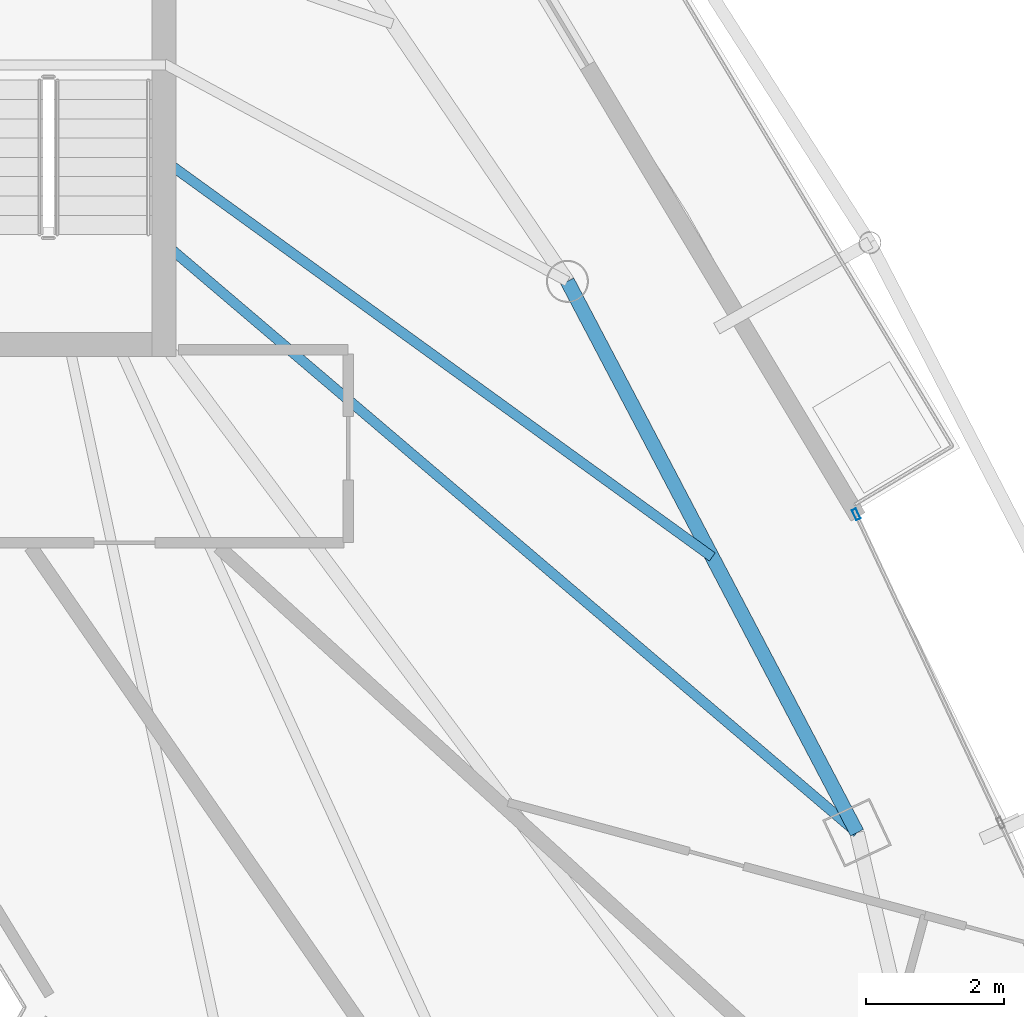
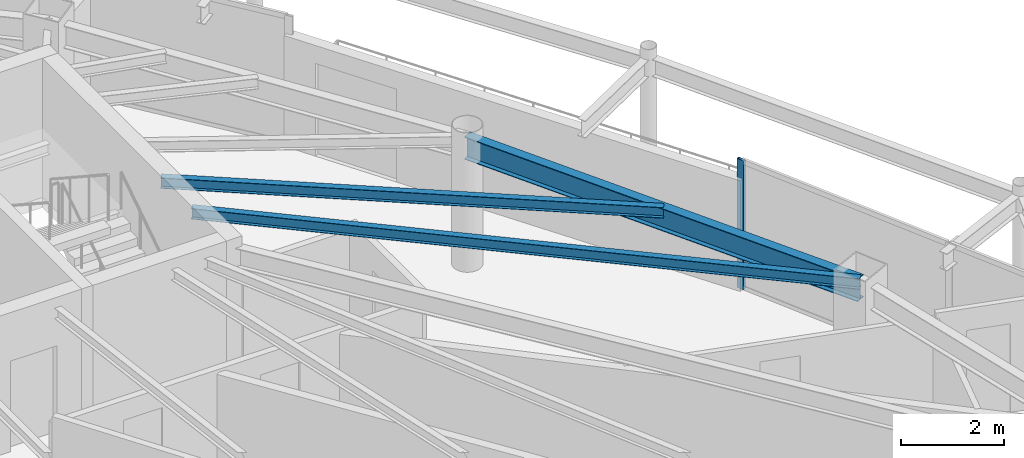
# One storey, part 18 of 30: 3 beams, 1 member, 1 element without a shape of its own.
"""IFC4 building model written with IfcOpenShell, lengths in metres."""

from ifc_helpers import new_model, si_unit, direction, frame, origin, origin_2d, place, context, subcontext, project, spatial, hollow_rectangle, i_section, extrude, material, layer, layer_set, material_profile, profile_set, type_object, element, aggregate, save


model = new_model("IFC4")

# Units and contexts
model_context = context("Model", 3, precision=1e-05, world=origin(), true_north=direction((0.0, 1.0)))
body_context = subcontext(model_context, "Body", "Model", "MODEL_VIEW")
ifc_project = project(units=[si_unit("LENGTHUNIT", "METRE"), si_unit("AREAUNIT", "SQUARE_METRE"), si_unit("VOLUMEUNIT", "CUBIC_METRE"), si_unit("PLANEANGLEUNIT", "RADIAN"), si_unit("MASSUNIT", "GRAM", prefix="KILO")], contexts=[model_context])

# Site, building, storey
site_placement = place(None, origin())
site = spatial("IfcSite", under=ifc_project, at=site_placement, CompositionType="ELEMENT")
building_placement = place(site_placement, origin())
building = spatial("IfcBuilding", under=site, at=building_placement, Name="Orvanel Arch Residences", CompositionType="ELEMENT")
storey_placement = place(building_placement, frame((0.0, 0.0, 226.10009765625)))
storey = spatial("IfcBuildingStorey", under=building, at=storey_placement, Name="L64", CompositionType="ELEMENT", Elevation=226.10009765625)

# Beams
ifc_material_1 = material(Name="Structural steel AS/NZS 3679.1 Grade 300 (300 MPa)", Category="steel")
ifc_material_profile_1 = material_profile(ifc_material_1, i_section(OverallWidth=0.14599609375, OverallDepth=0.251953125, WebThickness=0.006103515625, FlangeThickness=0.008544921875, at=origin_2d()), Name="250UB31.4")
ifc_profile_set_1 = profile_set([ifc_material_profile_1], Name="Structural steel AS/NZS 3679.1 Grade 300 (300 MPa)")
beam_type_1 = type_object("IfcBeamType", Name="BJ-250UB", PredefinedType="JOIST", material=ifc_profile_set_1)
beam_1_placement = place(storey_placement, frame((39.574951171875, 28.199951171875, 2.933837890625), z_axis=(0.761622669031, -0.64802076357, 0.0), x_axis=(0.64802076357, 0.761622669031, 0.0)))
element("IfcBeam", 1, at=beam_1_placement, inside=storey, type_object=beam_type_1, Name="L64 E Wing Floor Joist", PredefinedType="JOIST", context=body_context, shape_type="SweptSolid", body=[
    extrude(i_section(OverallWidth=0.14599609375, OverallDepth=0.251953125, WebThickness=0.006103515625, FlangeThickness=0.008544921875, at=origin_2d()), origin(), (0.0, 0.0, 1.0), 13.2060546875),
])
beam_2_placement = place(storey_placement, frame((39.574951171875, 29.39990234375, 2.933837890625), z_axis=(0.810144032972, -0.586230881002, 0.0), x_axis=(0.586230881002, 0.810144032972, 0.0)))
element("IfcBeam", 2, at=beam_2_placement, inside=storey, type_object=beam_type_1, Name="L64 CTE Wing Floor Joist", PredefinedType="JOIST", context=body_context, shape_type="SweptSolid", body=[
    extrude(i_section(OverallWidth=0.14599609375, OverallDepth=0.251953125, WebThickness=0.006103515625, FlangeThickness=0.008544921875, at=origin_2d()), origin(), (0.0, 0.0, 1.0), 9.82177734375),
])

# Curtain wall, member
ifc_material_2 = material(Name="Bronze-anodised aluminium AA6063-T6", Category="aluminium")
ifc_layer = layer(ifc_material_2, 0.175048828125)
ifc_layer_set = layer_set([ifc_layer], Name="Bronze-anodised aluminium AA6063-T6")
curtain_wall_type = type_object("IfcCurtainWallType", Name="CW4-HI-SYS", PredefinedType="NOTDEFINED", material=ifc_layer_set)
curtain_wall_placement = place(storey_placement, origin())
curtain_wall = element("IfcCurtainWall", 3, at=curtain_wall_placement, inside=storey, type_object=curtain_wall_type, Name="L64 CW4-HI-SYS Unitised Curtain Wall", PredefinedType="NOTDEFINED")
ifc_material_profile_2 = material_profile(ifc_material_2, hollow_rectangle(XDim=0.06494140625, YDim=0.159912109375, WallThickness=0.00390625, at=origin_2d()), Name="ALU160x65x4")
ifc_profile_set_2 = profile_set([ifc_material_profile_2], Name="Bronze-anodised aluminium AA6063-T6")
member_type = type_object("IfcMemberType", Name="MUL-160x65", PredefinedType="MULLION", material=ifc_profile_set_2)
member_placement = place(storey_placement, frame((49.619873046875, 24.260498046875, 0.0), z_axis=(0.0, 0.0, 1.0), x_axis=(-0.905705004304, -0.423908533978, 0.0)))
member = element("IfcMember", 4, at=member_placement, type_object=member_type, Name="CW-S4 mullion 3", PredefinedType="MULLION", context=body_context, shape_type="SweptSolid", body=[
    extrude(hollow_rectangle(XDim=0.06494140625, YDim=0.159912109375, WallThickness=0.00390625, at=origin_2d()), origin(), (0.0, 0.0, 1.0), 3.059814453125),
])
aggregate(curtain_wall, [member])

# Beam
ifc_material_profile_3 = material_profile(ifc_material_1, i_section(OverallWidth=0.208984375, OverallDepth=0.532958984375, WebThickness=0.01025390625, FlangeThickness=0.015625, at=origin_2d()), Name="530UB92.4")
ifc_profile_set_3 = profile_set([ifc_material_profile_3], Name="Structural steel AS/NZS 3679.1 Grade 300 (300 MPa)")
beam_type_2 = type_object("IfcBeamType", Name="SP-530UB", PredefinedType="SPANDREL", material=ifc_profile_set_3)
beam_3_placement = place(storey_placement, frame((49.633056640625, 19.64208984375, 2.79296875), z_axis=(-0.465064762793, 0.885276660942, 0.0), x_axis=(-0.885276660942, -0.465064762793, 0.0)))
element("IfcBeam", 5, at=beam_3_placement, inside=storey, type_object=beam_type_2, Name="L64 Perimeter Spandrel Beam 07", PredefinedType="SPANDREL", context=body_context, shape_type="SweptSolid", body=[
    extrude(i_section(OverallWidth=0.208984375, OverallDepth=0.532958984375, WebThickness=0.01025390625, FlangeThickness=0.015625, at=origin_2d()), origin(), (0.0, 0.0, 1.0), 9.03564453125),
])

save(model, "model.ifc")
